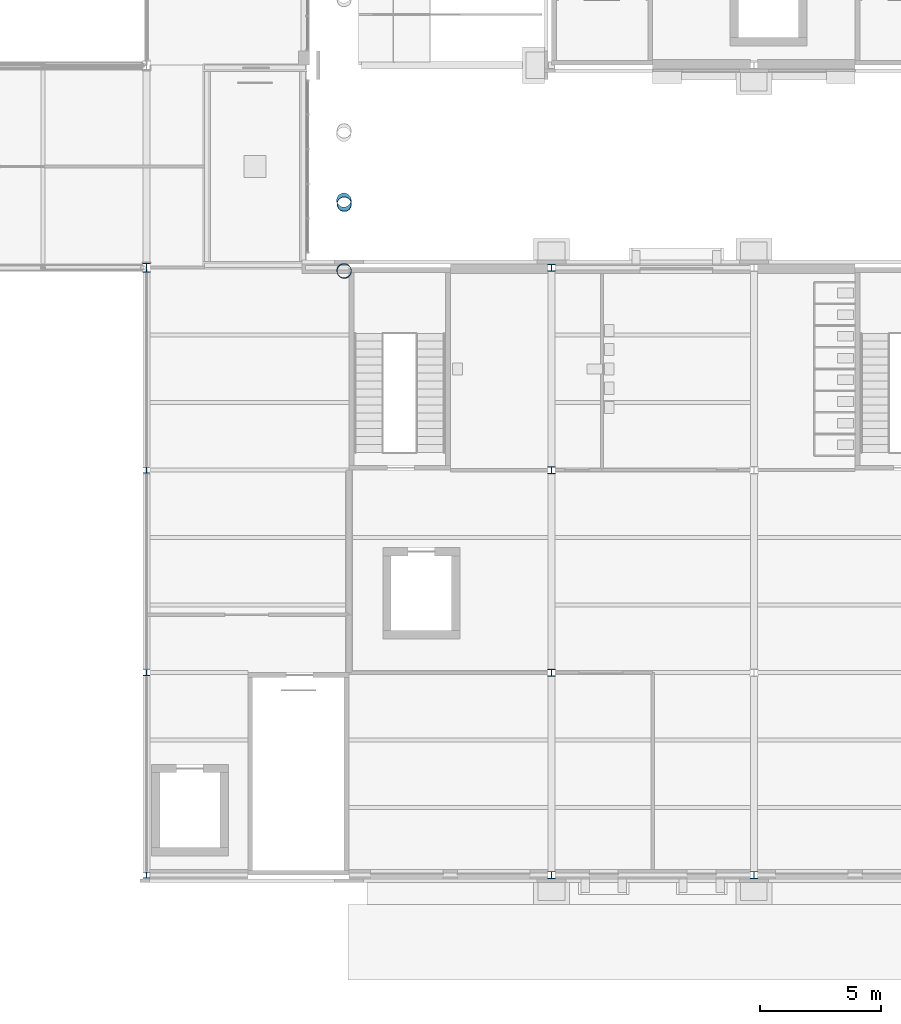
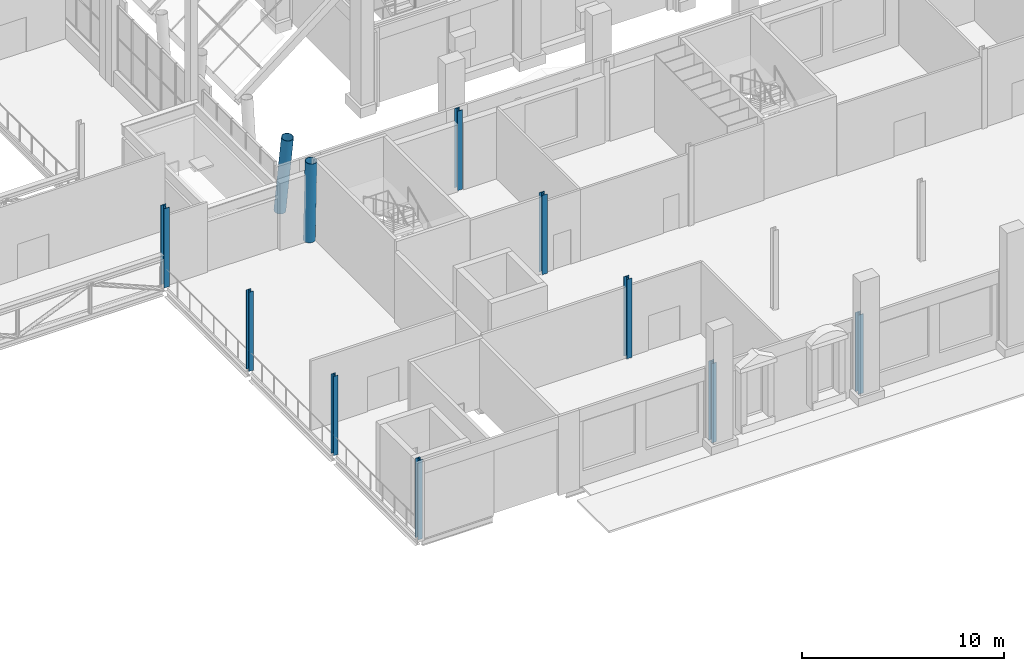
# One storey, part 4 of 76: 11 columns.
"""IFC4 building model written with IfcOpenShell, lengths in metres."""

from ifc_helpers import new_model, si_unit, direction, frame, origin, origin_2d, place, context, subcontext, project, spatial, hollow_circle, i_section, extrude, material, material_profile, profile_set, type_object, element, save


model = new_model("IFC4")

# Units and contexts
model_context = context("Model", 3, precision=1e-05, world=origin(), true_north=direction((0.0, 1.0)))
body_context = subcontext(model_context, "Body", "Model", "MODEL_VIEW")
ifc_project = project(units=[si_unit("LENGTHUNIT", "METRE"), si_unit("AREAUNIT", "SQUARE_METRE"), si_unit("VOLUMEUNIT", "CUBIC_METRE"), si_unit("PLANEANGLEUNIT", "RADIAN"), si_unit("MASSUNIT", "GRAM", prefix="KILO")], contexts=[model_context])

# Site, building, storey
site_placement = place(None, origin())
site = spatial("IfcSite", under=ifc_project, at=site_placement, CompositionType="ELEMENT")
building_placement = place(site_placement, origin())
building = spatial("IfcBuilding", under=site, at=building_placement, Name="Sava Quay Ferry Terminal", CompositionType="ELEMENT")
storey_placement = place(building_placement, frame((0.0, 0.0, 6.0)))
storey = spatial("IfcBuildingStorey", under=building, at=storey_placement, Name="L01", CompositionType="ELEMENT", Elevation=6.0)

# Columns
ifc_material_1 = material(Name="Steel S355", Category="steel")
ifc_material_profile_1 = material_profile(ifc_material_1, i_section(OverallWidth=0.260009765625, OverallDepth=0.260009765625, WebThickness=0.010009765625, FlangeThickness=0.017578125, at=origin_2d()), Name="HE 260 B")
ifc_profile_set_1 = profile_set([ifc_material_profile_1], Name="Steel S355")
column_type_1 = type_object("IfcColumnType", Name="Column HE 260 B", PredefinedType="COLUMN", material=ifc_profile_set_1)
for number, where, z_axis, x_axis, name in (
    (1, (75.60009765625, 25.199951171875, 0.0), (0.0, 0.0, 1.0), (1.0, 0.0, 0.0), "Column L01 75.6/25.2"),
    (2, (75.60009765625, 33.60009765625, 0.0), (0.0, 0.0, 1.0), (1.0, 0.0, 0.0), "Column L01 75.6/33.6"),
    (3, (75.60009765625, 42.0, 0.0), (0.0, 0.0, 1.0), (1.0, 0.0, 0.0), "Column L01 75.6/42"),
):
    element("IfcColumn", number, at=place(storey_placement, frame(where, z_axis=z_axis, x_axis=x_axis)), inside=storey, type_object=column_type_1, Name=name, PredefinedType="COLUMN", context=body_context, shape_type="SweptSolid", body=[
        extrude(i_section(OverallWidth=0.260009765625, OverallDepth=0.260009765625, WebThickness=0.010009765625, FlangeThickness=0.017578125, at=origin_2d()), origin(), (0.0, 0.0, 1.0), 4.800048828125),
    ])
ifc_material_2 = material(Name="Steel S355", Category="steel")
ifc_material_profile_2 = material_profile(ifc_material_2, i_section(OverallWidth=0.300048828125, OverallDepth=0.300048828125, WebThickness=0.010986328125, FlangeThickness=0.01904296875, at=origin_2d()), Name="HE 300 B")
ifc_profile_set_2 = profile_set([ifc_material_profile_2], Name="Steel S355")
column_type_2 = type_object("IfcColumnType", Name="Column HE 300 B", PredefinedType="COLUMN", material=ifc_profile_set_2)
for number, where, z_axis, x_axis, name in (
    (4, (92.39990234375, 25.199951171875, 0.0), (0.0, 0.0, 1.0), (1.0, 0.0, 0.0), "Column L01 92.4/25.2"),
    (5, (92.39990234375, 33.60009765625, 0.0), (0.0, 0.0, 1.0), (1.0, 0.0, 0.0), "Column L01 92.4/33.6"),
    (6, (92.39990234375, 42.0, 0.0), (0.0, 0.0, 1.0), (1.0, 0.0, 0.0), "Column L01 92.4/42"),
    (7, (92.39990234375, 50.39990234375, 0.0), (0.0, 0.0, 1.0), (1.0, 0.0, 0.0), "Column L01 92.4/50.4"),
    (8, (100.800048828125, 25.199951171875, 0.0), (0.0, 0.0, 1.0), (1.0, 0.0, 0.0), "Column L01 100.8/25.2"),
):
    element("IfcColumn", number, at=place(storey_placement, frame(where, z_axis=z_axis, x_axis=x_axis)), inside=storey, type_object=column_type_2, Name=name, PredefinedType="COLUMN", context=body_context, shape_type="SweptSolid", body=[
        extrude(i_section(OverallWidth=0.300048828125, OverallDepth=0.300048828125, WebThickness=0.010986328125, FlangeThickness=0.01904296875, at=origin_2d()), origin(), (0.0, 0.0, 1.0), 4.800048828125),
    ])
ifc_material_3 = material(Name="Steel S355", Category="steel")
ifc_material_profile_3 = material_profile(ifc_material_3, i_section(OverallWidth=0.300048828125, OverallDepth=0.360107421875, WebThickness=0.012451171875, FlangeThickness=0.0224609375, at=origin_2d()), Name="HE 360 B")
ifc_profile_set_3 = profile_set([ifc_material_profile_3], Name="Steel S355")
column_type_3 = type_object("IfcColumnType", Name="Column HE 360 B", PredefinedType="COLUMN", material=ifc_profile_set_3)
column_1_placement = place(storey_placement, frame((75.60009765625, 50.39990234375, 0.0), z_axis=(0.0, 0.0, 1.0), x_axis=(1.0, 0.0, 0.0)))
element("IfcColumn", 9, at=column_1_placement, inside=storey, type_object=column_type_3, Name="Column L01 75.6/50.4", PredefinedType="COLUMN", context=body_context, shape_type="SweptSolid", body=[
    extrude(i_section(OverallWidth=0.300048828125, OverallDepth=0.360107421875, WebThickness=0.012451171875, FlangeThickness=0.0224609375, at=origin_2d()), origin(), (0.0, 0.0, 1.0), 4.800048828125),
])
ifc_material_4 = material(Name="Steel S355", Category="steel")
ifc_material_profile_4 = material_profile(ifc_material_4, hollow_circle(Radius=0.304931640625, WallThickness=0.02001953125, at=origin_2d()), Name="CHS 610 x 20.0")
ifc_profile_set_4 = profile_set([ifc_material_profile_4], Name="Steel S355")
column_type_4 = type_object("IfcColumnType", Name="V column CHS 610x20", PredefinedType="COLUMN", material=ifc_profile_set_4)
column_2_placement = place(storey_placement, frame((83.7890625, 50.276123046875, 0.0), z_axis=(0.012102581287, -0.016831741202, 0.999785086913), x_axis=(0.811906374981, 0.583787665394, 0.0)))
element("IfcColumn", 10, at=column_2_placement, inside=storey, type_object=column_type_4, Name="Departure hall V column D-VR0a part 2", PredefinedType="COLUMN", context=body_context, shape_type="SweptSolid", body=[
    extrude(hollow_circle(Radius=0.304931640625, WallThickness=0.02001953125, at=origin_2d()), origin(), (0.0, 0.0, 1.0), 4.801025390625),
])
column_3_placement = place(storey_placement, frame((83.7890625, 53.1953125, 0.0), z_axis=(0.011992830994, -0.135398054119, 0.990718698191), x_axis=(0.996100200333, 0.088229195266, 0.0)))
element("IfcColumn", 11, at=column_3_placement, inside=storey, type_object=column_type_4, Name="Departure hall V column D-VR0b part 2", PredefinedType="COLUMN", context=body_context, shape_type="SweptSolid", body=[
    extrude(hollow_circle(Radius=0.304931640625, WallThickness=0.02001953125, at=origin_2d()), origin(), (0.0, 0.0, 1.0), 4.844970703125),
])

save(model, "model.ifc")
